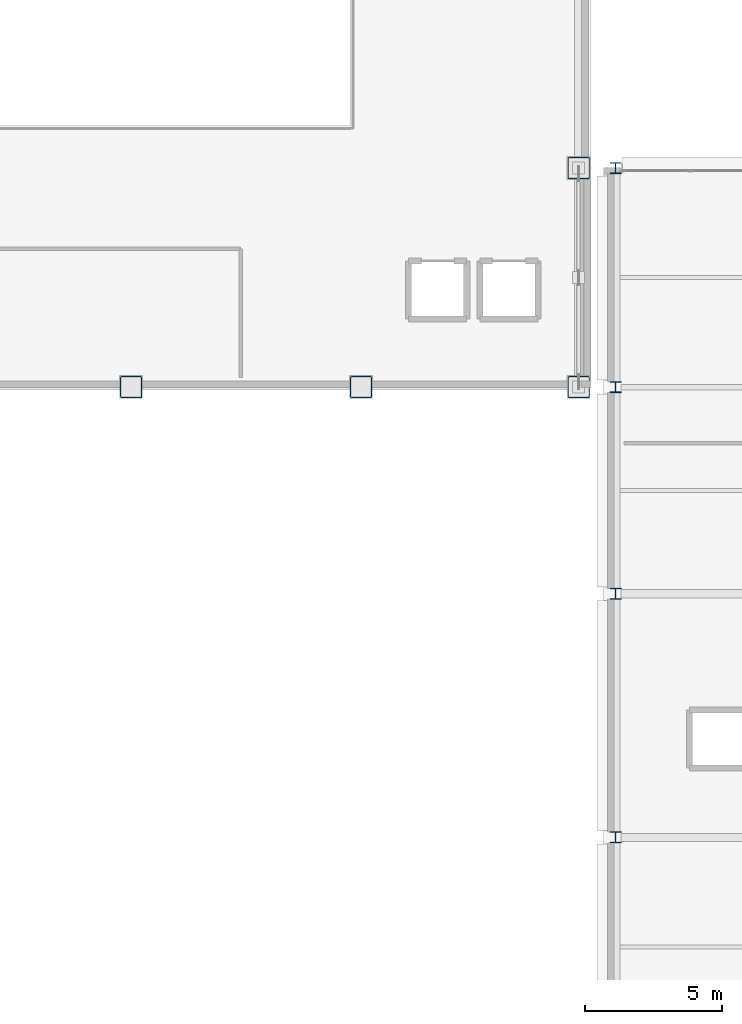
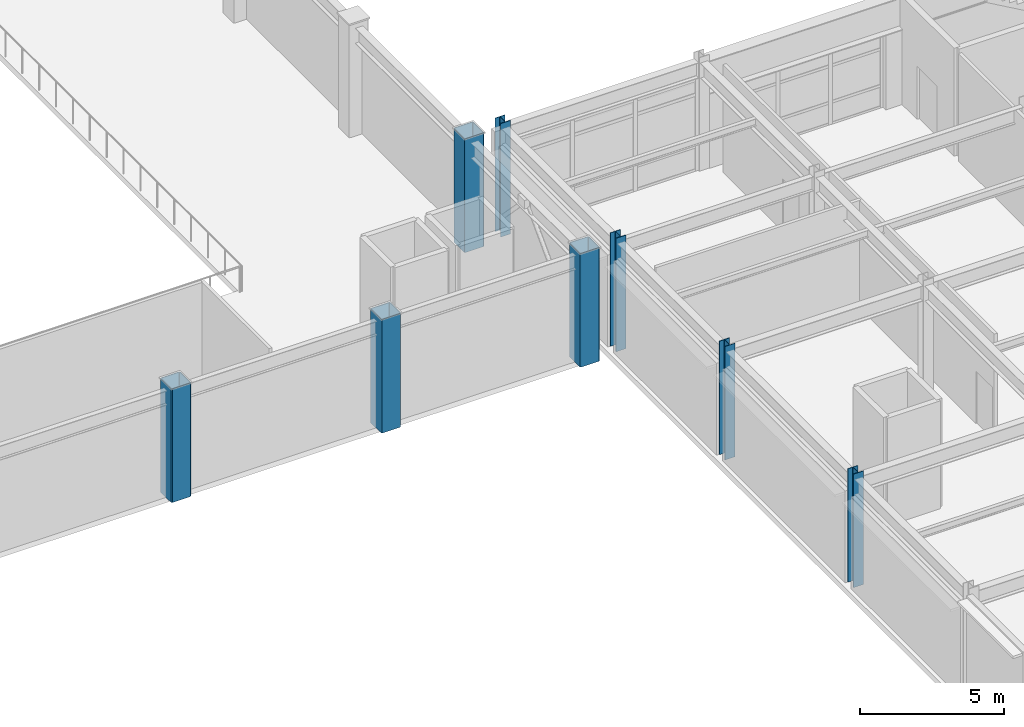
# One storey, part 3 of 93: 8 columns.
"""IFC4 building model written with IfcOpenShell, lengths in metres."""

from ifc_helpers import new_model, si_unit, direction, frame, origin, origin_2d, place, context, subcontext, project, spatial, hollow_rectangle, i_section, extrude, material, material_profile, profile_set, type_object, element, save


model = new_model("IFC4")

# Units and contexts
model_context = context("Model", 3, precision=1e-05, world=origin(), true_north=direction((0.0, 1.0)))
body_context = subcontext(model_context, "Body", "Model", "MODEL_VIEW")
ifc_project = project(units=[si_unit("LENGTHUNIT", "METRE"), si_unit("AREAUNIT", "SQUARE_METRE"), si_unit("VOLUMEUNIT", "CUBIC_METRE"), si_unit("PLANEANGLEUNIT", "RADIAN"), si_unit("MASSUNIT", "GRAM", prefix="KILO")], contexts=[model_context])

# Site, building, storey
site_placement = place(None, origin())
site = spatial("IfcSite", under=ifc_project, at=site_placement, CompositionType="ELEMENT")
building_placement = place(site_placement, origin())
building = spatial("IfcBuilding", under=site, at=building_placement, Name="Kazehara Bluff Congress Hotel", CompositionType="ELEMENT")
storey_placement = place(building_placement, frame((0.0, 0.0, 15.0)))
storey = spatial("IfcBuildingStorey", under=building, at=storey_placement, Name="L03", CompositionType="ELEMENT", Elevation=15.0)

# Columns
ifc_material_1 = material(Name="Steel BCR295", Category="steel")
ifc_material_profile_1 = material_profile(ifc_material_1, hollow_rectangle(XDim=0.800048828125, YDim=0.800048828125, WallThickness=0.031982421875, InnerFilletRadius=0.031982421875, OuterFilletRadius=0.06396484375, at=origin_2d()))
ifc_profile_set_1 = profile_set([ifc_material_profile_1], Name="Steel BCR295")
column_type_1 = type_object("IfcColumnType", Name="TP-C-02", PredefinedType="COLUMN", material=ifc_profile_set_1)
for number, where, z_axis, x_axis, name in (
    (1, (42.0, 48.449951171875, 0.0), (0.0, 0.0, 1.0), (1.0, 0.0, 0.0), "L03 column C-02 (42.00,48.45)"),
    (2, (50.39990234375, 48.449951171875, 0.0), (0.0, 0.0, 1.0), (1.0, 0.0, 0.0), "L03 column C-02 (50.40,48.45)"),
    (3, (58.35009765625, 48.449951171875, 0.0), (0.0, 0.0, 1.0), (1.0, 0.0, 0.0), "L03 column C-02 (58.35,48.45)"),
    (4, (58.35009765625, 56.449951171875, 0.0), (0.0, 0.0, 1.0), (1.0, 0.0, 0.0), "L03 column C-02 (58.35,56.45)"),
):
    element("IfcColumn", number, at=place(storey_placement, frame(where, z_axis=z_axis, x_axis=x_axis)), inside=storey, type_object=column_type_1, Name=name, PredefinedType="COLUMN", context=body_context, shape_type="SweptSolid", body=[
        extrude(hollow_rectangle(XDim=0.800048828125, YDim=0.800048828125, WallThickness=0.031982421875, InnerFilletRadius=0.031982421875, OuterFilletRadius=0.06396484375, at=origin_2d()), origin(), (0.0, 0.0, 1.0), 4.800048828125),
    ])
ifc_material_2 = material(Name="Steel SN490B", Category="steel")
ifc_material_profile_2 = material_profile(ifc_material_2, i_section(OverallWidth=0.39990234375, OverallDepth=0.39990234375, WebThickness=0.012939453125, FlangeThickness=0.02099609375, FilletRadius=0.02197265625, at=origin_2d()))
ifc_profile_set_2 = profile_set([ifc_material_profile_2], Name="Steel SN490B")
column_type_2 = type_object("IfcColumnType", Name="TP-C-09", PredefinedType="COLUMN", material=ifc_profile_set_2)
for number, where, z_axis, x_axis, name in (
    (5, (59.699951171875, 32.0, 0.0), (0.0, 0.0, 1.0), (1.0, 0.0, 0.0), "L03 column C-09 (59.70,32.00)"),
    (6, (59.699951171875, 40.89990234375, 0.0), (0.0, 0.0, 1.0), (1.0, 0.0, 0.0), "L03 column C-09 (59.70,40.90)"),
    (7, (59.699951171875, 48.449951171875, 0.0), (0.0, 0.0, 1.0), (1.0, 0.0, 0.0), "L03 column C-09 (59.70,48.45)"),
    (8, (59.699951171875, 56.449951171875, 0.0), (0.0, 0.0, 1.0), (1.0, 0.0, 0.0), "L03 column C-09 (59.70,56.45)"),
):
    element("IfcColumn", number, at=place(storey_placement, frame(where, z_axis=z_axis, x_axis=x_axis)), inside=storey, type_object=column_type_2, Name=name, PredefinedType="COLUMN", context=body_context, shape_type="SweptSolid", body=[
        extrude(i_section(OverallWidth=0.39990234375, OverallDepth=0.39990234375, WebThickness=0.012939453125, FlangeThickness=0.02099609375, FilletRadius=0.02197265625, at=origin_2d()), origin(), (0.0, 0.0, 1.0), 4.800048828125),
    ])

save(model, "model.ifc")
